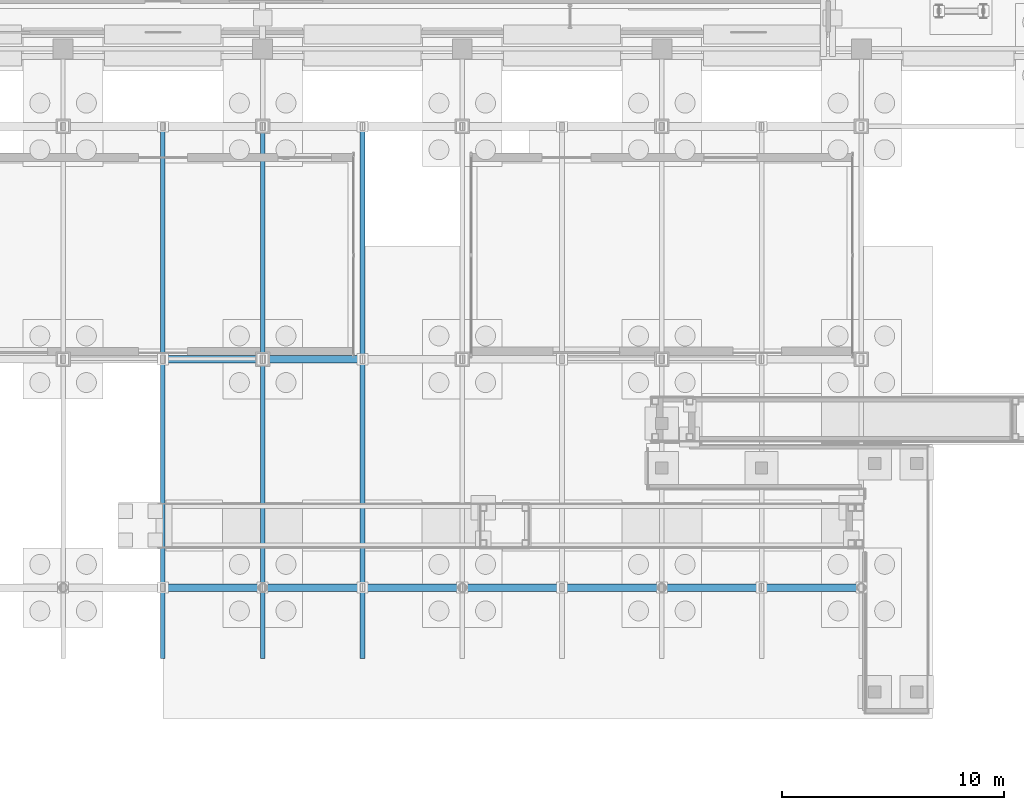
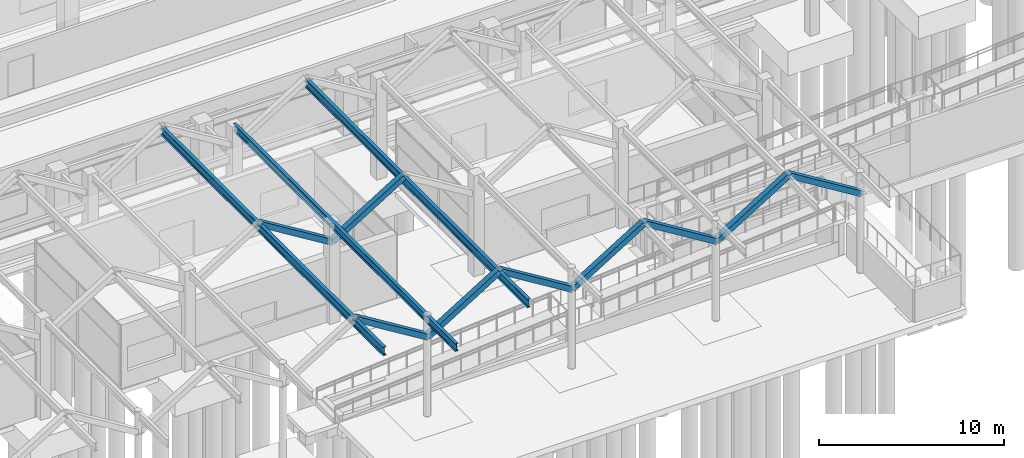
# One storey, part 49 of 160: 9 members, 3 beams.
"""IFC4 building model written with IfcOpenShell, lengths in metres."""

from ifc_helpers import new_model, si_unit, direction, frame, origin, origin_2d, place, context, subcontext, project, spatial, hollow_rectangle, i_section, extrude, material, material_profile, profile_set, type_object, element, save


model = new_model("IFC4")

# Units and contexts
model_context = context("Model", 3, precision=1e-05, world=origin(), true_north=direction((0.0, 1.0)))
body_context = subcontext(model_context, "Body", "Model", "MODEL_VIEW")
ifc_project = project(units=[si_unit("LENGTHUNIT", "METRE"), si_unit("AREAUNIT", "SQUARE_METRE"), si_unit("VOLUMEUNIT", "CUBIC_METRE"), si_unit("PLANEANGLEUNIT", "RADIAN"), si_unit("MASSUNIT", "GRAM", prefix="KILO")], contexts=[model_context])

# Site, building, storey
site_placement = place(None, origin())
site = spatial("IfcSite", under=ifc_project, at=site_placement, CompositionType="ELEMENT")
building_placement = place(site_placement, origin())
building = spatial("IfcBuilding", under=site, at=building_placement, Name="Marlcrest Central Station", CompositionType="ELEMENT")
storey_placement = place(building_placement, origin())
storey = spatial("IfcBuildingStorey", under=building, at=storey_placement, Name="L00", CompositionType="ELEMENT", Elevation=0.0)

# Beams
ifc_material = material(Name="Steel S355", Category="steel")
ifc_material_profile_1 = material_profile(ifc_material, i_section(OverallWidth=0.199951171875, OverallDepth=0.5, WebThickness=0.01025390625, FlangeThickness=0.01611328125, FilletRadius=0.02099609375, at=origin_2d()), Name="IPE 500")
ifc_profile_set_1 = profile_set([ifc_material_profile_1], Name="Steel S355")
beam_type_1 = type_object("IfcBeamType", Name="BM-05", PredefinedType="BEAM", material=ifc_profile_set_1)
beam_placement = place(storey_placement, frame((36.0, 9.0, 6.389892578125), z_axis=(0.0, 1.0, 0.0), x_axis=(-1.0, 0.0, 0.0)))
element("IfcBeam", 1, at=beam_placement, inside=storey, type_object=beam_type_1, Name="bm-BM-05-L00-01046", PredefinedType="BEAM", context=body_context, shape_type="SweptSolid", body=[
    extrude(i_section(OverallWidth=0.199951171875, OverallDepth=0.5, WebThickness=0.01025390625, FlangeThickness=0.01611328125, FilletRadius=0.02099609375, at=origin_2d()), origin(), (0.0, 0.0, 1.0), 24.0),
])
ifc_material_profile_2 = material_profile(ifc_material, i_section(OverallWidth=0.2099609375, OverallDepth=0.550048828125, WebThickness=0.010986328125, FlangeThickness=0.01708984375, FilletRadius=0.02392578125, at=origin_2d()), Name="IPE 550")
ifc_profile_set_2 = profile_set([ifc_material_profile_2], Name="Steel S355")
beam_type_2 = type_object("IfcBeamType", Name="BM-06", PredefinedType="BEAM", material=ifc_profile_set_2)
for number, where, z_axis, x_axis, name in (
    (2, (31.5, 9.0, 7.715087890625), (0.0, 1.0, 0.0), (-1.0, 0.0, 0.0), "bm-BM-06-L00-01045"),
    (3, (40.5, 9.0, 7.715087890625), (0.0, 1.0, 0.0), (-1.0, 0.0, 0.0), "bm-BM-06-L00-01047"),
):
    element("IfcBeam", number, at=place(storey_placement, frame(where, z_axis=z_axis, x_axis=x_axis)), inside=storey, type_object=beam_type_2, Name=name, PredefinedType="BEAM", context=body_context, shape_type="SweptSolid", body=[
        extrude(i_section(OverallWidth=0.2099609375, OverallDepth=0.550048828125, WebThickness=0.010986328125, FlangeThickness=0.01708984375, FilletRadius=0.02392578125, at=origin_2d()), origin(), (0.0, 0.0, 1.0), 24.0),
    ])

# Members
ifc_material_profile_3 = material_profile(ifc_material, hollow_rectangle(XDim=0.35009765625, YDim=0.35009765625, WallThickness=0.01611328125, at=origin_2d()), Name="SHS 350x350x16")
ifc_profile_set_3 = profile_set([ifc_material_profile_3], Name="Steel S355")
member_type = type_object("IfcMemberType", Name="ST-02", PredefinedType="STRUT", material=ifc_profile_set_3)
for number, where, z_axis, x_axis, name in (
    (4, (36.0, 12.199951171875, 5.199951171875), (-0.851591684043, 0.0, 0.524205688322), (0.0, -1.0, 0.0), "mem-ST-02-L00-00038"),
    (5, (36.0, 22.5, 5.199951171875), (-0.851591684043, 0.0, 0.524205688322), (0.0, -1.0, 0.0), "mem-ST-02-L00-00040"),
    (6, (36.0, 12.199951171875, 5.199951171875), (0.851591684043, 0.0, 0.524205688322), (0.0, 1.0, 0.0), "mem-ST-02-L00-00043"),
    (7, (45.0, 12.199951171875, 5.199951171875), (-0.851591684043, 0.0, 0.524205688322), (0.0, -1.0, 0.0), "mem-ST-02-L00-00044"),
    (8, (36.0, 22.5, 5.199951171875), (0.851591684043, 0.0, 0.524205688322), (0.0, 1.0, 0.0), "mem-ST-02-L00-00045"),
    (9, (45.0, 12.199951171875, 5.199951171875), (0.851591684043, 0.0, 0.524205688322), (0.0, 1.0, 0.0), "mem-ST-02-L00-00049"),
    (10, (54.0, 12.199951171875, 5.199951171875), (-0.851591684043, 0.0, 0.524205688322), (0.0, -1.0, 0.0), "mem-ST-02-L00-00050"),
    (11, (54.0, 12.199951171875, 5.199951171875), (0.851591684043, 0.0, 0.524205688322), (0.0, 1.0, 0.0), "mem-ST-02-L00-00055"),
    (12, (63.0, 12.199951171875, 5.199951171875), (-0.851591684043, 0.0, 0.524205688322), (0.0, -1.0, 0.0), "mem-ST-02-L00-00056"),
):
    element("IfcMember", number, at=place(storey_placement, frame(where, z_axis=z_axis, x_axis=x_axis)), inside=storey, type_object=member_type, Name=name, PredefinedType="STRUT", context=body_context, shape_type="SweptSolid", body=[
        extrude(hollow_rectangle(XDim=0.35009765625, YDim=0.35009765625, WallThickness=0.01611328125, at=origin_2d()), origin(), (0.0, 0.0, 1.0), 5.2841796875),
    ])

save(model, "model.ifc")
